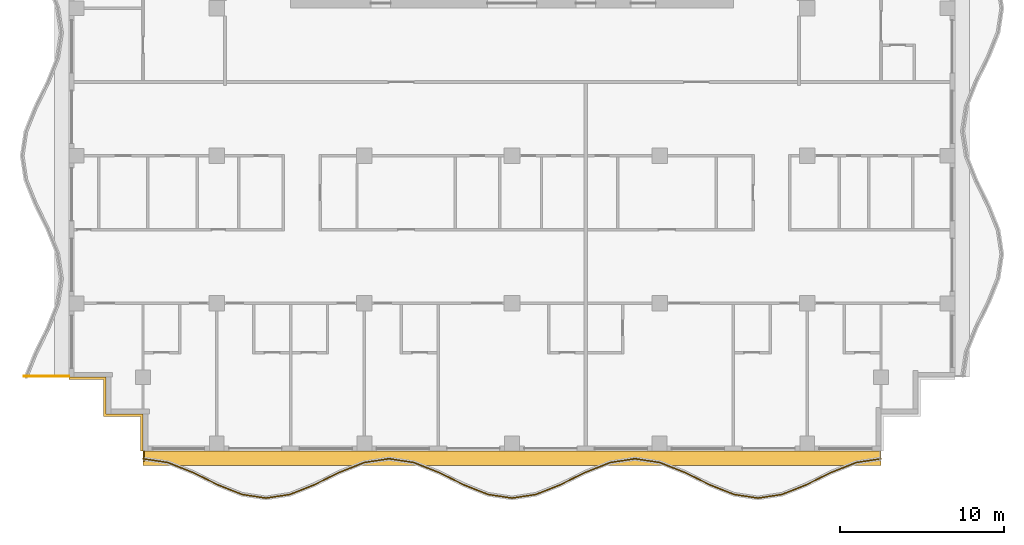
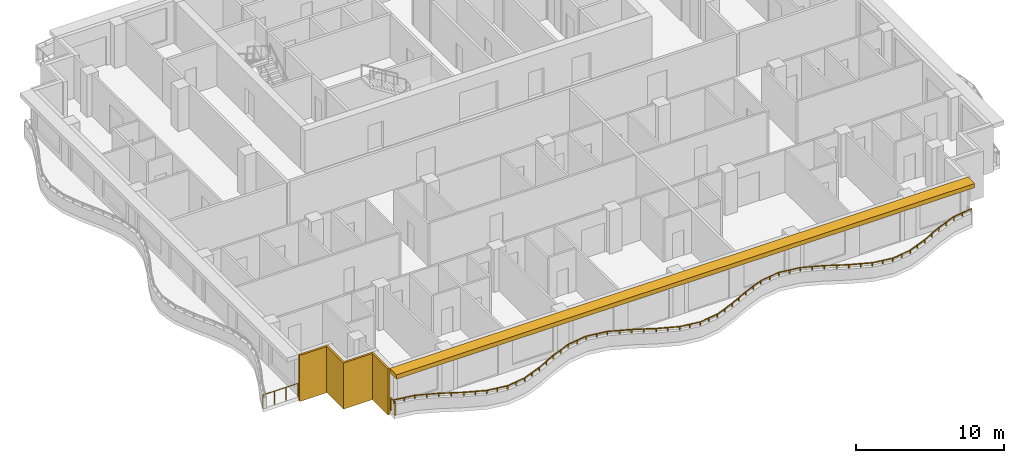
# One storey, part 8 of 12: 3 railings, 2 shading devices.
"""IFC4 building model written with IfcOpenShell, lengths in metres."""

import ifcopenshell
import ifcopenshell.guid

model = None  # the IFC model being written
_history = None  # IfcOwnerHistory: only IFC2X3 demands one
_inside = {}  # id of a spatial element -> (the spatial element, [elements in it])
_under = {}  # id of a project, library or spatial element -> (it, [spatial elements below it])
_declared = {}  # id of a project -> (the project, [libraries it declares])
_typed = {}  # id of a type object -> (the type object, [elements of that type])
_made_of = {}  # id of a material, layer set ... -> (it, [elements and type objects made of it])


def new_model(schema):
    """Start an empty IFC model of exactly this schema.

    Asked for "IFC4X3", IfcOpenShell would pick the latest addendum, in which some entities
    have other attributes; the version numbers below select the first issue.
    IFC2X3 requires an IfcOwnerHistory on every rooted entity: one is made here for all.
    """
    global model, _history
    if schema == "IFC4X3":
        model = ifcopenshell.file(schema_version=(4, 3, 0, 0))
    else:
        model = ifcopenshell.file(schema=schema)
    _inside.clear()
    _under.clear()
    _declared.clear()
    _typed.clear()
    _made_of.clear()
    _history = None
    if model.schema == "IFC2X3":
        org = make("IfcOrganization", Name="unknown")
        user = make(
            "IfcPersonAndOrganization",
            ThePerson=make("IfcPerson", FamilyName="unknown"),
            TheOrganization=org,
        )
        app = make(
            "IfcApplication",
            ApplicationDeveloper=org,
            Version="unknown",
            ApplicationFullName="unknown",
            ApplicationIdentifier="unknown",
        )
        _history = make(
            "IfcOwnerHistory",
            OwningUser=user,
            OwningApplication=app,
            ChangeAction="ADDED",
            CreationDate=0,
        )
    return model


def make(cls, **values):
    """One entity of the class cls with the attributes given. An attribute that is None is left unset."""
    return model.create_entity(
        cls, **{name: value for name, value in values.items() if value is not None}
    )


def rooted(cls, **values):
    """An entity with a GlobalId (a new one), such as an element, a storey or a relation."""
    return make(cls, GlobalId=ifcopenshell.guid.new(), OwnerHistory=_history, **values)


def si_unit(unit_type, name, prefix=None):
    """IfcSIUnit, for example si_unit("LENGTHUNIT", "METRE", prefix="MILLI")."""
    return make("IfcSIUnit", UnitType=unit_type, Prefix=prefix, Name=name)


def assignment(units):
    """IfcUnitAssignment: the units of a project."""
    return None if units is None else make("IfcUnitAssignment", Units=units)


def point(xyz):
    """IfcCartesianPoint."""
    return None if xyz is None else make("IfcCartesianPoint", Coordinates=xyz)


def direction(xyz):
    """IfcDirection."""
    return None if xyz is None else make("IfcDirection", DirectionRatios=xyz)


def frame(location, z_axis=None, x_axis=None):
    """IfcAxis2Placement3D, a coordinate frame: its origin and axes. An axis left out is left unset."""
    return make(
        "IfcAxis2Placement3D",
        Location=point(location),
        Axis=direction(z_axis),
        RefDirection=direction(x_axis),
    )


def frame_2d(location, x_axis=None):
    """IfcAxis2Placement2D, a coordinate frame in the plane: its origin and x axis."""
    return make(
        "IfcAxis2Placement2D", Location=point(location), RefDirection=direction(x_axis)
    )


def origin():
    """The frame at (0, 0, 0) with its axes left unset."""
    return frame((0.0, 0.0, 0.0))


def origin_2d():
    """The frame at (0, 0) in the plane with its x axis left unset."""
    return frame_2d((0.0, 0.0))


def place(relative_to, where):
    """IfcLocalPlacement: puts the frame where relative to a parent placement (None: the world)."""
    return make(
        "IfcLocalPlacement", PlacementRelTo=relative_to, RelativePlacement=where
    )


def context(
    kind, dimensions, precision=None, world=None, true_north=None, identifier=None
):
    """IfcGeometricRepresentationContext, for example the 3D "Model" context."""
    return make(
        "IfcGeometricRepresentationContext",
        ContextIdentifier=identifier,
        ContextType=kind,
        CoordinateSpaceDimension=dimensions,
        Precision=precision,
        WorldCoordinateSystem=world,
        TrueNorth=true_north,
    )


def subcontext(parent, identifier, kind, view, scale=None):
    """IfcGeometricRepresentationSubContext, for example "Body" below "Model"."""
    return make(
        "IfcGeometricRepresentationSubContext",
        ContextIdentifier=identifier,
        ContextType=kind,
        ParentContext=parent,
        TargetScale=scale,
        TargetView=view,
    )


def project(units=None, contexts=None):
    """IfcProject with its units and contexts."""
    return rooted(
        "IfcProject",
        Name="project",
        RepresentationContexts=contexts,
        UnitsInContext=assignment(units),
    )


def spatial(cls, under=None, at=None, **own):
    """A site, building, storey or space (cls), placed at a placement, below another one or the project."""
    s = rooted(cls, ObjectPlacement=at, **own)
    if under is not None:
        _under.setdefault(under.id(), (under, []))[1].append(s)
    return s


def polyline(points):
    """IfcPolyline through the points."""
    return make("IfcPolyline", Points=[point(p) for p in points])


def profile(cls, at=None, kind="AREA", **sizes):
    """A parametric profile (cls). Its sizes go by their IFC names, for example OverallWidth=200.0."""
    return make(cls, ProfileType=kind, Position=at, **sizes)


def rectangle(**sizes):
    """IfcRectangleProfileDef."""
    return profile("IfcRectangleProfileDef", **sizes)


def outline(outer, holes=None, kind="AREA"):
    """IfcArbitraryClosedProfileDef: a profile drawn as a closed curve; with holes, ...WithVoids."""
    if holes is None:
        return make("IfcArbitraryClosedProfileDef", ProfileType=kind, OuterCurve=outer)
    return make(
        "IfcArbitraryProfileDefWithVoids",
        ProfileType=kind,
        OuterCurve=outer,
        InnerCurves=holes,
    )


def extrude(swept, where, along, depth):
    """IfcExtrudedAreaSolid: the profile swept, set in the frame where, extruded along a direction by depth."""
    return make(
        "IfcExtrudedAreaSolid",
        SweptArea=swept,
        Position=where,
        ExtrudedDirection=direction(along),
        Depth=depth,
    )


def shape(context_of_items, identifier, shape_type, items):
    """IfcShapeRepresentation: the items that make up one representation, for example the "Body"."""
    return make(
        "IfcShapeRepresentation",
        ContextOfItems=context_of_items,
        RepresentationIdentifier=identifier,
        RepresentationType=shape_type,
        Items=items,
    )


def material(Name=None, Category=None):
    """IfcMaterial."""
    return make("IfcMaterial", Name=Name, Category=Category)


def layer(
    of_material, thickness, ventilated=None, Name=None, Category=None, Priority=None
):
    """IfcMaterialLayer: one layer of a wall or slab, of a material (None: an air gap)."""
    return make(
        "IfcMaterialLayer",
        Material=of_material,
        LayerThickness=thickness,
        IsVentilated=ventilated,
        Name=Name,
        Category=Category,
        Priority=Priority,
    )


def layer_set(layers, Name=None):
    """IfcMaterialLayerSet."""
    return make("IfcMaterialLayerSet", MaterialLayers=layers, LayerSetName=Name)


def made_of(thing, what):
    """Note that an element or type object is made of a material, layer set ...; save() writes the relation."""
    if what is not None:
        _made_of.setdefault(what.id(), (what, []))[1].append(thing)
    return thing


def type_object(cls, material=None, **own):
    """A type object (cls), such as IfcWallType, which elements share."""
    return made_of(rooted(cls, **own), material)


def element(
    cls,
    number,
    at=None,
    inside=None,
    cuts=None,
    type_object=None,
    material=None,
    context=None,
    identifier="Body",
    shape_type=None,
    held_by="IfcProductDefinitionShape",
    body=None,
    shapes=None,
    **own,
):
    """One element of the class cls, such as IfcWall. Its Tag is "e" and its number.

    at: its placement. inside: the storey or other place that contains it. cuts: it is an
    opening in that element (IfcRelVoidsElement). A single representation is given by context,
    identifier, shape_type and body (its items); several are given by shapes. held_by: the class
    of the entity that holds the representations. save() writes the other relations.
    """
    e = rooted(cls, Tag="e%d" % number, ObjectPlacement=at, **own)
    if body is not None:
        shapes = [shape(context, identifier, shape_type, body)]
    if shapes is not None:
        e.Representation = make(held_by, Representations=shapes)
    if inside is not None:
        _inside.setdefault(inside.id(), (inside, []))[1].append(e)
    if cuts is not None:
        rooted(
            "IfcRelVoidsElement", RelatingBuildingElement=cuts, RelatedOpeningElement=e
        )
    if type_object is not None:
        _typed.setdefault(type_object.id(), (type_object, []))[1].append(e)
    return made_of(e, material)


def aggregate(whole, parts):
    """IfcRelAggregates: a whole, such as a stair, and the parts it consists of."""
    return rooted("IfcRelAggregates", RelatingObject=whole, RelatedObjects=parts)


def save(model, path):
    """Write the relations noted so far, then the file.

    IfcRelAggregates (storeys below a building ...), IfcRelContainedInSpatialStructure (elements
    in a storey), IfcRelDefinesByType, IfcRelAssociatesMaterial and IfcRelDeclares: one each for
    every whole, place, type object, material and project.
    """
    for whole, parts in _under.values():
        aggregate(whole, parts)
    for where, things in _inside.values():
        rooted(
            "IfcRelContainedInSpatialStructure",
            RelatedElements=things,
            RelatingStructure=where,
        )
    for kind, things in _typed.values():
        rooted("IfcRelDefinesByType", RelatedObjects=things, RelatingType=kind)
    for what, things in _made_of.values():
        rooted("IfcRelAssociatesMaterial", RelatedObjects=things, RelatingMaterial=what)
    for by, libraries in _declared.values():
        rooted("IfcRelDeclares", RelatingContext=by, RelatedDefinitions=libraries)
    model.write(path)


model = new_model("IFC4")

# Units and contexts
model_context = context("Model", 3, precision=1e-05, world=origin(), true_north=direction((0.0, 1.0)))
body_context = subcontext(model_context, "Body", "Model", "MODEL_VIEW")
ifc_project = project(units=[si_unit("LENGTHUNIT", "METRE"), si_unit("AREAUNIT", "SQUARE_METRE"), si_unit("VOLUMEUNIT", "CUBIC_METRE"), si_unit("PLANEANGLEUNIT", "RADIAN"), si_unit("MASSUNIT", "GRAM", prefix="KILO")], contexts=[model_context])

# Site, building, storey
site_placement = place(None, origin())
site = spatial("IfcSite", under=ifc_project, at=site_placement, CompositionType="ELEMENT")
building_placement = place(site_placement, origin())
building = spatial("IfcBuilding", under=site, at=building_placement, Name="Orbiselva Terraces", CompositionType="ELEMENT")
storey_placement = place(building_placement, frame((0.0, 0.0, 265.4)))
storey = spatial("IfcBuildingStorey", under=building, at=storey_placement, Name="L67", CompositionType="ELEMENT", Elevation=265.4)

# Railings
ifc_material_1 = material(Name="Bonded two-ply safety glass balustrade, stainless steel posts", Category="steel")
railing_type_1 = type_object("IfcRailingType", Name="ENV-BALUSTRADE-1200", PredefinedType="BALUSTRADE", material=ifc_material_1)
railing_1_placement = place(storey_placement, frame((-22.481121, -22.976434, 0.9)))
element("IfcRailing", 1, at=railing_1_placement, inside=storey, type_object=railing_type_1, Name="Balcony balustrade L67 S", PredefinedType="BALUSTRADE", context=body_context, shape_type="SweptSolid", body=[
    extrude(outline(polyline([(0.028868, 0.0), (0.014434, 0.025), (-0.014434, 0.025), (-0.028868, 0.0), (-0.014434, -0.025), (0.014434, -0.025), (0.028868, 0.0)])), frame((0.0, 0.0, 0.275), z_axis=(0.988528588529, -0.151033869252, 0.0), x_axis=(0.151033869252, 0.988528588529, 0.0)), (0.0, 0.0, 1.0), 1.531776),
    extrude(outline(polyline([(0.028868, 0.0), (0.014434, 0.025), (-0.014434, 0.025), (-0.028868, 0.0), (-0.014434, -0.025), (0.014434, -0.025), (0.028868, 0.0)])), frame((1.514204, -0.23135, 0.275), z_axis=(0.92847681744, -0.371390359967, 0.0), x_axis=(0.371390359967, 0.92847681744, 0.0)), (0.0, 0.0, 1.0), 1.634838),
    extrude(outline(polyline([(0.028868, 0.0), (0.014434, 0.025), (-0.014434, 0.025), (-0.028868, 0.0), (-0.014434, -0.025), (0.014434, -0.025), (0.028868, 0.0)])), frame((3.032113, -0.838513, 0.275), z_axis=(0.896416672454, -0.443212307306, 0.0), x_axis=(0.443212307306, 0.896416672454, 0.0)), (0.0, 0.0, 1.0), 1.673329),
    extrude(outline(polyline([(0.028868, 0.0), (0.014434, 0.025), (-0.014434, 0.025), (-0.028868, 0.0), (-0.014434, -0.025), (0.014434, -0.025), (0.028868, 0.0)])), frame((4.532113, -1.580153, 0.275), z_axis=(0.928476561272, -0.371391000387, 0.0), x_axis=(0.371391000387, 0.928476561272, 0.0)), (0.0, 0.0, 1.0), 1.596261),
    extrude(outline(polyline([(0.028868, 0.0), (0.014434, 0.025), (-0.014434, 0.025), (-0.028868, 0.0), (-0.014434, -0.025), (0.014434, -0.025), (0.028868, 0.0)])), frame((6.014204, -2.17299, 0.275), z_axis=(0.988528606898, -0.151033749027, 0.0), x_axis=(0.151033749027, 0.988528606898, 0.0)), (0.0, 0.0, 1.0), 1.48394),
    extrude(outline(polyline([(0.028868, 0.0), (0.014434, 0.025), (-0.014434, 0.025), (-0.028868, 0.0), (-0.014434, -0.025), (0.014434, -0.025), (0.028868, 0.0)])), frame((7.481121, -2.397115, 0.275), z_axis=(0.988528606898, 0.151033749027, 0.0), x_axis=(-0.151033749027, 0.988528606898, 0.0)), (0.0, 0.0, 1.0), 1.48394),
    extrude(outline(polyline([(0.028868, 0.0), (0.014434, 0.025), (-0.014434, 0.025), (-0.028868, 0.0), (-0.014434, -0.025), (0.014434, -0.025), (0.028868, 0.0)])), frame((8.948038, -2.17299, 0.275), z_axis=(0.928476561272, 0.371391000387, 0.0), x_axis=(-0.371391000387, 0.928476561272, 0.0)), (0.0, 0.0, 1.0), 1.596261),
    extrude(outline(polyline([(0.028868, 0.0), (0.014434, 0.025), (-0.014434, 0.025), (-0.028868, 0.0), (-0.014434, -0.025), (0.014434, -0.025), (0.028868, 0.0)])), frame((10.430129, -1.580153, 0.275), z_axis=(0.896416672454, 0.443212307306, 0.0), x_axis=(-0.443212307306, 0.896416672454, 0.0)), (0.0, 0.0, 1.0), 1.673329),
    extrude(outline(polyline([(0.028868, 0.0), (0.014434, 0.025), (-0.014434, 0.025), (-0.028868, 0.0), (-0.014434, -0.025), (0.014434, -0.025), (0.028868, 0.0)])), frame((11.930129, -0.838513, 0.275), z_axis=(0.92847681744, 0.371390359967, 0.0), x_axis=(-0.371390359967, 0.92847681744, 0.0)), (0.0, 0.0, 1.0), 1.634838),
    extrude(outline(polyline([(0.028868, 0.0), (0.014434, 0.025), (-0.014434, 0.025), (-0.028868, 0.0), (-0.014434, -0.025), (0.014434, -0.025), (0.028868, 0.0)])), frame((13.448038, -0.23135, 0.275), z_axis=(0.988528536275, 0.151034211256, 0.0), x_axis=(-0.151034211256, 0.988528536275, 0.0)), (0.0, 0.0, 1.0), 1.550874),
    extrude(outline(polyline([(0.028868, 0.0), (0.014434, 0.025), (-0.014434, 0.025), (-0.028868, 0.0), (-0.014434, -0.025), (0.014434, -0.025), (0.028868, 0.0)])), frame((14.981121, 0.002885, 0.275), z_axis=(0.988528536275, -0.151034211256, 0.0), x_axis=(0.151034211256, 0.988528536275, 0.0)), (0.0, 0.0, 1.0), 1.550874),
    extrude(outline(polyline([(0.028868, 0.0), (0.014434, 0.025), (-0.014434, 0.025), (-0.028868, 0.0), (-0.014434, -0.025), (0.014434, -0.025), (0.028868, 0.0)])), frame((16.514204, -0.23135, 0.275), z_axis=(0.92847681744, -0.371390359967, 0.0), x_axis=(0.371390359967, 0.92847681744, 0.0)), (0.0, 0.0, 1.0), 1.634838),
    extrude(outline(polyline([(0.028868, 0.0), (0.014434, 0.025), (-0.014434, 0.025), (-0.028868, 0.0), (-0.014434, -0.025), (0.014434, -0.025), (0.028868, 0.0)])), frame((18.032113, -0.838513, 0.275), z_axis=(0.896416672454, -0.443212307306, 0.0), x_axis=(0.443212307306, 0.896416672454, 0.0)), (0.0, 0.0, 1.0), 1.673329),
    extrude(outline(polyline([(0.028868, 0.0), (0.014434, 0.025), (-0.014434, 0.025), (-0.028868, 0.0), (-0.014434, -0.025), (0.014434, -0.025), (0.028868, 0.0)])), frame((19.532113, -1.580153, 0.275), z_axis=(0.928476561272, -0.371391000387, 0.0), x_axis=(0.371391000387, 0.928476561272, 0.0)), (0.0, 0.0, 1.0), 1.596261),
    extrude(outline(polyline([(0.028868, 0.0), (0.014434, 0.025), (-0.014434, 0.025), (-0.028868, 0.0), (-0.014434, -0.025), (0.014434, -0.025), (0.028868, 0.0)])), frame((21.014204, -2.17299, 0.275), z_axis=(0.988528606898, -0.151033749027, 0.0), x_axis=(0.151033749027, 0.988528606898, 0.0)), (0.0, 0.0, 1.0), 1.48394),
    extrude(outline(polyline([(0.028868, 0.0), (0.014434, 0.025), (-0.014434, 0.025), (-0.028868, 0.0), (-0.014434, -0.025), (0.014434, -0.025), (0.028868, 0.0)])), frame((22.481121, -2.397115, 0.275), z_axis=(0.988528606898, 0.151033749027, 0.0), x_axis=(-0.151033749027, 0.988528606898, 0.0)), (0.0, 0.0, 1.0), 1.48394),
    extrude(outline(polyline([(0.028868, 0.0), (0.014434, 0.025), (-0.014434, 0.025), (-0.028868, 0.0), (-0.014434, -0.025), (0.014434, -0.025), (0.028868, 0.0)])), frame((23.948038, -2.17299, 0.275), z_axis=(0.928476561272, 0.371391000387, 0.0), x_axis=(-0.371391000387, 0.928476561272, 0.0)), (0.0, 0.0, 1.0), 1.596261),
    extrude(outline(polyline([(0.028868, 0.0), (0.014434, 0.025), (-0.014434, 0.025), (-0.028868, 0.0), (-0.014434, -0.025), (0.014434, -0.025), (0.028868, 0.0)])), frame((25.430129, -1.580153, 0.275), z_axis=(0.896416672454, 0.443212307306, 0.0), x_axis=(-0.443212307306, 0.896416672454, 0.0)), (0.0, 0.0, 1.0), 1.673329),
    extrude(outline(polyline([(0.028868, 0.0), (0.014434, 0.025), (-0.014434, 0.025), (-0.028868, 0.0), (-0.014434, -0.025), (0.014434, -0.025), (0.028868, 0.0)])), frame((26.930129, -0.838513, 0.275), z_axis=(0.92847681744, 0.371390359967, 0.0), x_axis=(-0.371390359967, 0.92847681744, 0.0)), (0.0, 0.0, 1.0), 1.634838),
    extrude(outline(polyline([(0.028868, 0.0), (0.014434, 0.025), (-0.014434, 0.025), (-0.028868, 0.0), (-0.014434, -0.025), (0.014434, -0.025), (0.028868, 0.0)])), frame((28.448038, -0.23135, 0.275), z_axis=(0.988528536275, 0.151034211256, 0.0), x_axis=(-0.151034211256, 0.988528536275, 0.0)), (0.0, 0.0, 1.0), 1.550874),
    extrude(outline(polyline([(0.028868, 0.0), (0.014434, 0.025), (-0.014434, 0.025), (-0.028868, 0.0), (-0.014434, -0.025), (0.014434, -0.025), (0.028868, 0.0)])), frame((29.981121, 0.002885, 0.275), z_axis=(0.988528536275, -0.151034211256, 0.0), x_axis=(0.151034211256, 0.988528536275, 0.0)), (0.0, 0.0, 1.0), 1.550874),
    extrude(outline(polyline([(0.028868, 0.0), (0.014434, 0.025), (-0.014434, 0.025), (-0.028868, 0.0), (-0.014434, -0.025), (0.014434, -0.025), (0.028868, 0.0)])), frame((31.514204, -0.23135, 0.275), z_axis=(0.92847681744, -0.371390359967, 0.0), x_axis=(0.371390359967, 0.92847681744, 0.0)), (0.0, 0.0, 1.0), 1.634838),
    extrude(outline(polyline([(0.028868, 0.0), (0.014434, 0.025), (-0.014434, 0.025), (-0.028868, 0.0), (-0.014434, -0.025), (0.014434, -0.025), (0.028868, 0.0)])), frame((33.032113, -0.838513, 0.275), z_axis=(0.896416672454, -0.443212307306, 0.0), x_axis=(0.443212307306, 0.896416672454, 0.0)), (0.0, 0.0, 1.0), 1.673329),
    extrude(outline(polyline([(0.028868, 0.0), (0.014434, 0.025), (-0.014434, 0.025), (-0.028868, 0.0), (-0.014434, -0.025), (0.014434, -0.025), (0.028868, 0.0)])), frame((34.532113, -1.580153, 0.275), z_axis=(0.928476561272, -0.371391000387, 0.0), x_axis=(0.371391000387, 0.928476561272, 0.0)), (0.0, 0.0, 1.0), 1.596261),
    extrude(outline(polyline([(0.028868, 0.0), (0.014434, 0.025), (-0.014434, 0.025), (-0.028868, 0.0), (-0.014434, -0.025), (0.014434, -0.025), (0.028868, 0.0)])), frame((36.014204, -2.17299, 0.275), z_axis=(0.988528606898, -0.151033749027, 0.0), x_axis=(0.151033749027, 0.988528606898, 0.0)), (0.0, 0.0, 1.0), 1.48394),
    extrude(outline(polyline([(0.028868, 0.0), (0.014434, 0.025), (-0.014434, 0.025), (-0.028868, 0.0), (-0.014434, -0.025), (0.014434, -0.025), (0.028868, 0.0)])), frame((37.481121, -2.397115, 0.275), z_axis=(0.988528606898, 0.151033749027, 0.0), x_axis=(-0.151033749027, 0.988528606898, 0.0)), (0.0, 0.0, 1.0), 1.48394),
    extrude(outline(polyline([(0.028868, 0.0), (0.014434, 0.025), (-0.014434, 0.025), (-0.028868, 0.0), (-0.014434, -0.025), (0.014434, -0.025), (0.028868, 0.0)])), frame((38.948038, -2.17299, 0.275), z_axis=(0.928476561272, 0.371391000387, 0.0), x_axis=(-0.371391000387, 0.928476561272, 0.0)), (0.0, 0.0, 1.0), 1.596261),
    extrude(outline(polyline([(0.028868, 0.0), (0.014434, 0.025), (-0.014434, 0.025), (-0.028868, 0.0), (-0.014434, -0.025), (0.014434, -0.025), (0.028868, 0.0)])), frame((40.430129, -1.580153, 0.275), z_axis=(0.896416672454, 0.443212307306, 0.0), x_axis=(-0.443212307306, 0.896416672454, 0.0)), (0.0, 0.0, 1.0), 1.673329),
    extrude(outline(polyline([(0.028868, 0.0), (0.014434, 0.025), (-0.014434, 0.025), (-0.028868, 0.0), (-0.014434, -0.025), (0.014434, -0.025), (0.028868, 0.0)])), frame((41.930129, -0.838513, 0.275), z_axis=(0.92847681744, 0.371390359967, 0.0), x_axis=(-0.371390359967, 0.92847681744, 0.0)), (0.0, 0.0, 1.0), 1.634838),
    extrude(outline(polyline([(0.028868, 0.0), (0.014434, 0.025), (-0.014434, 0.025), (-0.028868, 0.0), (-0.014434, -0.025), (0.014434, -0.025), (0.028868, 0.0)])), frame((43.448038, -0.23135, 0.275), z_axis=(0.988528588529, 0.151033869252, 0.0), x_axis=(-0.151033869252, 0.988528588529, 0.0)), (0.0, 0.0, 1.0), 1.531776),
    extrude(rectangle(XDim=0.05, YDim=0.05, at=origin_2d()), origin(), (0.0, 0.0, 1.0), 0.25),
    extrude(rectangle(XDim=0.05, YDim=0.05, at=origin_2d()), frame((0.757102, -0.115675, 0.0)), (0.0, 0.0, 1.0), 0.25),
    extrude(rectangle(XDim=0.05, YDim=0.05, at=origin_2d()), frame((1.514204, -0.23135, 0.0)), (0.0, 0.0, 1.0), 0.25),
    extrude(rectangle(XDim=0.05, YDim=0.05, at=origin_2d()), frame((2.273159, -0.534931, 0.0)), (0.0, 0.0, 1.0), 0.25),
    extrude(rectangle(XDim=0.05, YDim=0.05, at=origin_2d()), frame((3.032113, -0.838513, 0.0)), (0.0, 0.0, 1.0), 0.25),
    extrude(rectangle(XDim=0.05, YDim=0.05, at=origin_2d()), frame((3.782113, -1.209333, 0.0)), (0.0, 0.0, 1.0), 0.25),
    extrude(rectangle(XDim=0.05, YDim=0.05, at=origin_2d()), frame((4.532113, -1.580153, 0.0)), (0.0, 0.0, 1.0), 0.25),
    extrude(rectangle(XDim=0.05, YDim=0.05, at=origin_2d()), frame((5.273159, -1.876571, 0.0)), (0.0, 0.0, 1.0), 0.25),
    extrude(rectangle(XDim=0.05, YDim=0.05, at=origin_2d()), frame((6.014204, -2.17299, 0.0)), (0.0, 0.0, 1.0), 0.25),
    extrude(rectangle(XDim=0.05, YDim=0.05, at=origin_2d()), frame((6.747663, -2.285052, 0.0)), (0.0, 0.0, 1.0), 0.25),
    extrude(rectangle(XDim=0.05, YDim=0.05, at=origin_2d()), frame((7.481121, -2.397115, 0.0)), (0.0, 0.0, 1.0), 0.25),
    extrude(rectangle(XDim=0.05, YDim=0.05, at=origin_2d()), frame((8.21458, -2.285052, 0.0)), (0.0, 0.0, 1.0), 0.25),
    extrude(rectangle(XDim=0.05, YDim=0.05, at=origin_2d()), frame((8.948038, -2.17299, 0.0)), (0.0, 0.0, 1.0), 0.25),
    extrude(rectangle(XDim=0.05, YDim=0.05, at=origin_2d()), frame((9.689084, -1.876571, 0.0)), (0.0, 0.0, 1.0), 0.25),
    extrude(rectangle(XDim=0.05, YDim=0.05, at=origin_2d()), frame((10.430129, -1.580153, 0.0)), (0.0, 0.0, 1.0), 0.25),
    extrude(rectangle(XDim=0.05, YDim=0.05, at=origin_2d()), frame((11.180129, -1.209333, 0.0)), (0.0, 0.0, 1.0), 0.25),
    extrude(rectangle(XDim=0.05, YDim=0.05, at=origin_2d()), frame((11.930129, -0.838513, 0.0)), (0.0, 0.0, 1.0), 0.25),
    extrude(rectangle(XDim=0.05, YDim=0.05, at=origin_2d()), frame((12.689084, -0.534931, 0.0)), (0.0, 0.0, 1.0), 0.25),
    extrude(rectangle(XDim=0.05, YDim=0.05, at=origin_2d()), frame((13.448038, -0.23135, 0.0)), (0.0, 0.0, 1.0), 0.25),
    extrude(rectangle(XDim=0.05, YDim=0.05, at=origin_2d()), frame((14.21458, -0.114232, 0.0)), (0.0, 0.0, 1.0), 0.25),
    extrude(rectangle(XDim=0.05, YDim=0.05, at=origin_2d()), frame((14.981121, 0.002885, 0.0)), (0.0, 0.0, 1.0), 0.25),
    extrude(rectangle(XDim=0.05, YDim=0.05, at=origin_2d()), frame((15.747663, -0.114232, 0.0)), (0.0, 0.0, 1.0), 0.25),
    extrude(rectangle(XDim=0.05, YDim=0.05, at=origin_2d()), frame((16.514204, -0.23135, 0.0)), (0.0, 0.0, 1.0), 0.25),
    extrude(rectangle(XDim=0.05, YDim=0.05, at=origin_2d()), frame((17.273158, -0.534931, 0.0)), (0.0, 0.0, 1.0), 0.25),
    extrude(rectangle(XDim=0.05, YDim=0.05, at=origin_2d()), frame((18.032113, -0.838513, 0.0)), (0.0, 0.0, 1.0), 0.25),
    extrude(rectangle(XDim=0.05, YDim=0.05, at=origin_2d()), frame((18.782113, -1.209333, 0.0)), (0.0, 0.0, 1.0), 0.25),
    extrude(rectangle(XDim=0.05, YDim=0.05, at=origin_2d()), frame((19.532113, -1.580153, 0.0)), (0.0, 0.0, 1.0), 0.25),
    extrude(rectangle(XDim=0.05, YDim=0.05, at=origin_2d()), frame((20.273158, -1.876571, 0.0)), (0.0, 0.0, 1.0), 0.25),
    extrude(rectangle(XDim=0.05, YDim=0.05, at=origin_2d()), frame((21.014204, -2.17299, 0.0)), (0.0, 0.0, 1.0), 0.25),
    extrude(rectangle(XDim=0.05, YDim=0.05, at=origin_2d()), frame((21.747663, -2.285052, 0.0)), (0.0, 0.0, 1.0), 0.25),
    extrude(rectangle(XDim=0.05, YDim=0.05, at=origin_2d()), frame((22.481121, -2.397115, 0.0)), (0.0, 0.0, 1.0), 0.25),
    extrude(rectangle(XDim=0.05, YDim=0.05, at=origin_2d()), frame((23.21458, -2.285052, 0.0)), (0.0, 0.0, 1.0), 0.25),
    extrude(rectangle(XDim=0.05, YDim=0.05, at=origin_2d()), frame((23.948038, -2.17299, 0.0)), (0.0, 0.0, 1.0), 0.25),
    extrude(rectangle(XDim=0.05, YDim=0.05, at=origin_2d()), frame((24.689084, -1.876571, 0.0)), (0.0, 0.0, 1.0), 0.25),
    extrude(rectangle(XDim=0.05, YDim=0.05, at=origin_2d()), frame((25.430129, -1.580153, 0.0)), (0.0, 0.0, 1.0), 0.25),
    extrude(rectangle(XDim=0.05, YDim=0.05, at=origin_2d()), frame((26.180129, -1.209333, 0.0)), (0.0, 0.0, 1.0), 0.25),
    extrude(rectangle(XDim=0.05, YDim=0.05, at=origin_2d()), frame((26.930129, -0.838513, 0.0)), (0.0, 0.0, 1.0), 0.25),
    extrude(rectangle(XDim=0.05, YDim=0.05, at=origin_2d()), frame((27.689084, -0.534931, 0.0)), (0.0, 0.0, 1.0), 0.25),
    extrude(rectangle(XDim=0.05, YDim=0.05, at=origin_2d()), frame((28.448038, -0.23135, 0.0)), (0.0, 0.0, 1.0), 0.25),
    extrude(rectangle(XDim=0.05, YDim=0.05, at=origin_2d()), frame((29.21458, -0.114232, 0.0)), (0.0, 0.0, 1.0), 0.25),
    extrude(rectangle(XDim=0.05, YDim=0.05, at=origin_2d()), frame((29.981121, 0.002885, 0.0)), (0.0, 0.0, 1.0), 0.25),
    extrude(rectangle(XDim=0.05, YDim=0.05, at=origin_2d()), frame((30.747662, -0.114232, 0.0)), (0.0, 0.0, 1.0), 0.25),
    extrude(rectangle(XDim=0.05, YDim=0.05, at=origin_2d()), frame((31.514204, -0.23135, 0.0)), (0.0, 0.0, 1.0), 0.25),
    extrude(rectangle(XDim=0.05, YDim=0.05, at=origin_2d()), frame((32.273158, -0.534931, 0.0)), (0.0, 0.0, 1.0), 0.25),
    extrude(rectangle(XDim=0.05, YDim=0.05, at=origin_2d()), frame((33.032113, -0.838513, 0.0)), (0.0, 0.0, 1.0), 0.25),
    extrude(rectangle(XDim=0.05, YDim=0.05, at=origin_2d()), frame((33.782113, -1.209333, 0.0)), (0.0, 0.0, 1.0), 0.25),
    extrude(rectangle(XDim=0.05, YDim=0.05, at=origin_2d()), frame((34.532113, -1.580153, 0.0)), (0.0, 0.0, 1.0), 0.25),
    extrude(rectangle(XDim=0.05, YDim=0.05, at=origin_2d()), frame((35.273158, -1.876571, 0.0)), (0.0, 0.0, 1.0), 0.25),
    extrude(rectangle(XDim=0.05, YDim=0.05, at=origin_2d()), frame((36.014204, -2.17299, 0.0)), (0.0, 0.0, 1.0), 0.25),
    extrude(rectangle(XDim=0.05, YDim=0.05, at=origin_2d()), frame((36.747663, -2.285052, 0.0)), (0.0, 0.0, 1.0), 0.25),
    extrude(rectangle(XDim=0.05, YDim=0.05, at=origin_2d()), frame((37.481121, -2.397115, 0.0)), (0.0, 0.0, 1.0), 0.25),
    extrude(rectangle(XDim=0.05, YDim=0.05, at=origin_2d()), frame((38.21458, -2.285052, 0.0)), (0.0, 0.0, 1.0), 0.25),
    extrude(rectangle(XDim=0.05, YDim=0.05, at=origin_2d()), frame((38.948038, -2.17299, 0.0)), (0.0, 0.0, 1.0), 0.25),
    extrude(rectangle(XDim=0.05, YDim=0.05, at=origin_2d()), frame((39.689083, -1.876571, 0.0)), (0.0, 0.0, 1.0), 0.25),
    extrude(rectangle(XDim=0.05, YDim=0.05, at=origin_2d()), frame((40.430129, -1.580153, 0.0)), (0.0, 0.0, 1.0), 0.25),
    extrude(rectangle(XDim=0.05, YDim=0.05, at=origin_2d()), frame((41.180129, -1.209333, 0.0)), (0.0, 0.0, 1.0), 0.25),
    extrude(rectangle(XDim=0.05, YDim=0.05, at=origin_2d()), frame((41.930129, -0.838513, 0.0)), (0.0, 0.0, 1.0), 0.25),
    extrude(rectangle(XDim=0.05, YDim=0.05, at=origin_2d()), frame((42.689083, -0.534931, 0.0)), (0.0, 0.0, 1.0), 0.25),
    extrude(rectangle(XDim=0.05, YDim=0.05, at=origin_2d()), frame((43.448038, -0.23135, 0.0)), (0.0, 0.0, 1.0), 0.25),
    extrude(rectangle(XDim=0.05, YDim=0.05, at=origin_2d()), frame((44.20514, -0.115675, 0.0)), (0.0, 0.0, 1.0), 0.25),
    extrude(rectangle(XDim=0.05, YDim=0.05, at=origin_2d()), frame((44.962242, 0.0, 0.0)), (0.0, 0.0, 1.0), 0.25),
])
ifc_material_2 = material(Name="Stainless steel rail and posts", Category="steel")
railing_type_2 = type_object("IfcRailingType", Name="ENV-GUARD-1105", PredefinedType="BALUSTRADE", material=ifc_material_2)
railing_2_placement = place(storey_placement, frame((-22.44, -23.100379, 0.0)))
element("IfcRailing", 2, at=railing_2_placement, inside=storey, type_object=railing_type_2, Name="Balcony end guard L67 S", PredefinedType="BALUSTRADE", context=body_context, shape_type="SweptSolid", body=[
    extrude(outline(polyline([(0.028868, 0.0), (0.014434, 0.025), (-0.014434, 0.025), (-0.028868, 0.0), (-0.014434, -0.025), (0.014434, -0.025), (0.028868, 0.0)])), frame((0.0, 0.0, 1.08), z_axis=(0.0, 1.0, 0.0), x_axis=(-1.0, 0.0, 0.0)), (0.0, 0.0, 1.0), 0.575379),
    extrude(rectangle(XDim=0.05, YDim=0.05, at=origin_2d()), origin(), (0.0, 0.0, 1.0), 1.055),
    extrude(rectangle(XDim=0.05, YDim=0.05, at=origin_2d()), frame((0.0, 0.575379, 0.0)), (0.0, 0.0, 1.0), 1.055),
])
railing_3_placement = place(storey_placement, frame((-29.752788, -17.94, 0.0)))
element("IfcRailing", 3, at=railing_3_placement, inside=storey, type_object=railing_type_2, Name="Balcony end guard L67 W", PredefinedType="BALUSTRADE", context=body_context, shape_type="SweptSolid", body=[
    extrude(outline(polyline([(0.028868, 0.0), (0.014434, 0.025), (-0.014434, 0.025), (-0.028868, 0.0), (-0.014434, -0.025), (0.014434, -0.025), (0.028868, 0.0)])), frame((0.0, 0.0, 1.08), z_axis=(1.0, 0.0, 0.0), x_axis=(0.0, 1.0, 0.0)), (0.0, 0.0, 1.0), 2.727788),
    extrude(rectangle(XDim=0.05, YDim=0.05, at=origin_2d()), origin(), (0.0, 0.0, 1.0), 1.055),
    extrude(rectangle(XDim=0.05, YDim=0.05, at=origin_2d()), frame((0.909263, 0.0, 0.0)), (0.0, 0.0, 1.0), 1.055),
    extrude(rectangle(XDim=0.05, YDim=0.05, at=origin_2d()), frame((1.818525, 0.0, 0.0)), (0.0, 0.0, 1.0), 1.055),
    extrude(rectangle(XDim=0.05, YDim=0.05, at=origin_2d()), frame((2.727788, 0.0, 0.0)), (0.0, 0.0, 1.0), 1.055),
])

# Shading devices
ifc_material_3 = material(Name="Terracotta louvre screen", Category="masonry")
ifc_layer_1 = layer(ifc_material_3, 0.15)
ifc_layer_set_1 = layer_set([ifc_layer_1], Name="Terracotta louvre screen")
shading_device_type_1 = type_object("IfcShadingDeviceType", Name="ENV-SCREEN-150", PredefinedType="USERDEFINED", material=ifc_layer_set_1)
shading_device_1_placement = place(storey_placement, frame((0.0, 0.0, -0.3)))
element("IfcShadingDevice", 4, at=shading_device_1_placement, inside=storey, type_object=shading_device_type_1, Name="Louvre screen L67 SW", ObjectType="SCREEN", PredefinedType="USERDEFINED", context=body_context, shape_type="SweptSolid", body=[
    extrude(outline(polyline([(-27.0, -18.15), (-24.9, -18.15), (-24.9, -20.4), (-22.65, -20.4), (-22.65, -22.5), (-22.5, -22.5), (-22.5, -20.25), (-24.75, -20.25), (-24.75, -18.0), (-27.0, -18.0), (-27.0, -18.15)])), origin(), (0.0, 0.0, 1.0), 3.8),
])
ifc_material_4 = material(Name="Terracotta baguette sunshade", Category="masonry")
ifc_layer_2 = layer(ifc_material_4, 0.35)
ifc_layer_set_2 = layer_set([ifc_layer_2], Name="Terracotta baguette sunshade")
shading_device_type_2 = type_object("IfcShadingDeviceType", Name="ENV-SUNSHADE-900x350", PredefinedType="USERDEFINED", material=ifc_layer_set_2)
shading_device_2_placement = place(storey_placement, frame((0.0, 0.0, 3.15)))
element("IfcShadingDevice", 5, at=shading_device_2_placement, inside=storey, type_object=shading_device_type_2, Name="Sunshade band L67 S", ObjectType="SUNSHADE", PredefinedType="USERDEFINED", context=body_context, shape_type="SweptSolid", body=[
    extrude(outline(polyline([(-22.5, -23.4), (22.5, -23.4), (22.5, -22.5), (-22.5, -22.5), (-22.5, -23.4)])), origin(), (0.0, 0.0, 1.0), 0.35),
])

save(model, "model.ifc")
